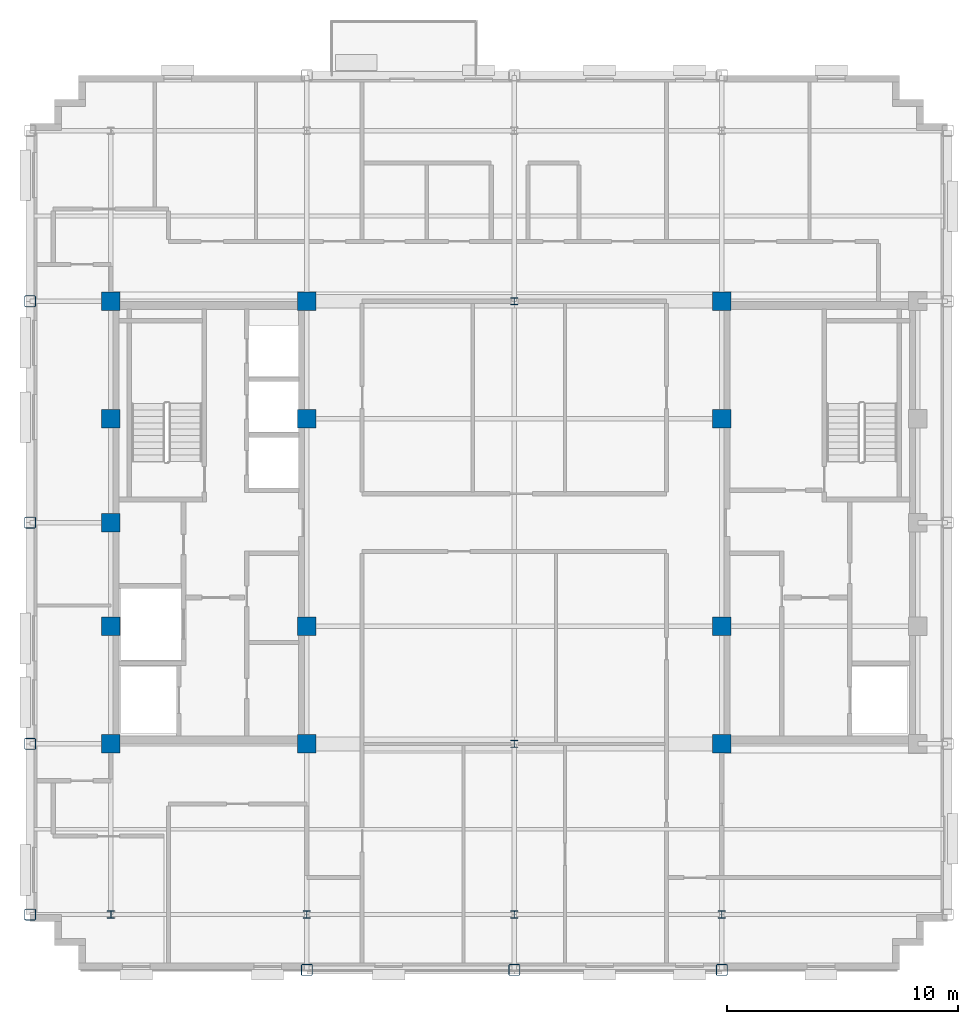
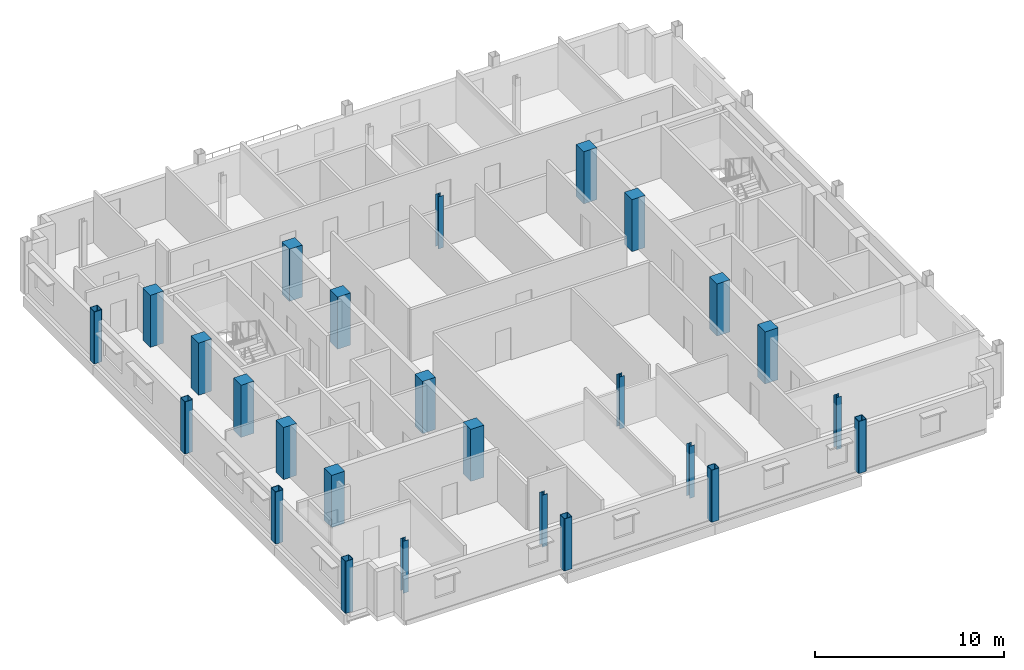
# One storey, part 1 of 14: 26 columns.
"""IFC4 building model written with IfcOpenShell, lengths in metres."""

from ifc_helpers import new_model, si_unit, direction, frame, origin, origin_2d, place, context, subcontext, project, spatial, rectangle, hollow_rectangle, i_section, extrude, material, material_profile, profile_set, type_object, element, save


model = new_model("IFC4")

# Units and contexts
model_context = context("Model", 3, precision=1e-05, world=origin(), true_north=direction((0.0, 1.0)))
body_context = subcontext(model_context, "Body", "Model", "MODEL_VIEW")
ifc_project = project(units=[si_unit("LENGTHUNIT", "METRE"), si_unit("AREAUNIT", "SQUARE_METRE"), si_unit("VOLUMEUNIT", "CUBIC_METRE"), si_unit("PLANEANGLEUNIT", "RADIAN"), si_unit("MASSUNIT", "GRAM", prefix="KILO")], contexts=[model_context])

# Site, building, storey
site_placement = place(None, origin())
site = spatial("IfcSite", under=ifc_project, at=site_placement, CompositionType="ELEMENT")
building_placement = place(site_placement, origin())
building = spatial("IfcBuilding", under=site, at=building_placement, Name="Nuvemarco Arch Tower", CompositionType="ELEMENT")
storey_placement = place(building_placement, frame((0.0, 0.0, 268.89990234375)))
storey = spatial("IfcBuildingStorey", under=building, at=storey_placement, Name="L71", CompositionType="ELEMENT", Elevation=268.89990234375)

# Columns
ifc_material_1 = material(Name="Concrete C50/60", Category="concrete")
ifc_material_profile_1 = material_profile(ifc_material_1, rectangle(XDim=0.800048828125, YDim=0.800048828125, at=origin_2d()), Name="RC-COL-800x800")
ifc_profile_set_1 = profile_set([ifc_material_profile_1], Name="Concrete C50/60")
column_type_1 = type_object("IfcColumnType", Name="COL-CORE-800", PredefinedType="COLUMN", material=ifc_profile_set_1)
for number, where, z_axis, x_axis, name in (
    (1, (-17.5, -9.60009765625, 0.0), (0.0, 0.0, 1.0), (1.0, 0.0, 0.0), "L71 column CC_-17.5_-9.6"),
    (2, (-17.5, -4.5, 0.0), (0.0, 0.0, 1.0), (1.0, 0.0, 0.0), "L71 column CC_-17.5_-4.5"),
    (3, (-17.5, 4.5, 0.0), (0.0, 0.0, 1.0), (1.0, 0.0, 0.0), "L71 column CC_-17.5_+4.5"),
    (4, (-17.5, 9.60009765625, 0.0), (0.0, 0.0, 1.0), (1.0, 0.0, 0.0), "L71 column CC_-17.5_+9.6"),
    (5, (-9.0, -9.60009765625, 0.0), (0.0, 0.0, 1.0), (1.0, 0.0, 0.0), "L71 column CC_-9.0_-9.6"),
    (6, (-9.0, -4.5, 0.0), (0.0, 0.0, 1.0), (1.0, 0.0, 0.0), "L71 column CC_-9.0_-4.5"),
    (7, (-9.0, 4.5, 0.0), (0.0, 0.0, 1.0), (1.0, 0.0, 0.0), "L71 column CC_-9.0_+4.5"),
    (8, (-9.0, 9.60009765625, 0.0), (0.0, 0.0, 1.0), (1.0, 0.0, 0.0), "L71 column CC_-9.0_+9.6"),
    (9, (9.0, -9.60009765625, 0.0), (0.0, 0.0, 1.0), (1.0, 0.0, 0.0), "L71 column CC_+9.0_-9.6"),
    (10, (9.0, -4.5, 0.0), (0.0, 0.0, 1.0), (1.0, 0.0, 0.0), "L71 column CC_+9.0_-4.5"),
    (11, (9.0, 4.5, 0.0), (0.0, 0.0, 1.0), (1.0, 0.0, 0.0), "L71 column CC_+9.0_+4.5"),
    (12, (9.0, 9.60009765625, 0.0), (0.0, 0.0, 1.0), (1.0, 0.0, 0.0), "L71 column CC_+9.0_+9.6"),
    (13, (-17.5, 0.0, 0.0), (0.0, 0.0, 1.0), (1.0, 0.0, 0.0), "L71 column CC_-17.5_+0.0"),
):
    element("IfcColumn", number, at=place(storey_placement, frame(where, z_axis=z_axis, x_axis=x_axis)), inside=storey, type_object=column_type_1, Name=name, PredefinedType="COLUMN", context=body_context, shape_type="SweptSolid", body=[
        extrude(rectangle(XDim=0.800048828125, YDim=0.800048828125, at=origin_2d()), origin(), (0.0, 0.0, 1.0), 3.3701171875),
    ])
ifc_material_2 = material(Name="Steel S355", Category="steel")
ifc_material_profile_2 = material_profile(ifc_material_2, hollow_rectangle(XDim=0.5, YDim=0.5, WallThickness=0.031982421875, InnerFilletRadius=0.031982421875, OuterFilletRadius=0.06396484375, at=origin_2d()), Name="SHS500x500x32")
ifc_profile_set_2 = profile_set([ifc_material_profile_2], Name="Steel S355")
column_type_2 = type_object("IfcColumnType", Name="COL-EXO-500", PredefinedType="COLUMN", material=ifc_profile_set_2)
for number, where, z_axis, x_axis, name in (
    (14, (-21.0, -17.0, 0.0), (0.0, 0.0, 1.0), (1.0, 0.0, 0.0), "L71 column CX_-21.0_-17.0"),
    (15, (-21.0, -9.60009765625, 0.0), (0.0, 0.0, 1.0), (1.0, 0.0, 0.0), "L71 column CX_-21.0_-9.6"),
    (16, (-21.0, 0.0, 0.0), (0.0, 0.0, 1.0), (1.0, 0.0, 0.0), "L71 column CX_-21.0_+0.0"),
    (17, (-21.0, 9.60009765625, 0.0), (0.0, 0.0, 1.0), (1.0, 0.0, 0.0), "L71 column CX_-21.0_+9.6"),
    (18, (-9.0, -19.39990234375, 0.0), (0.0, 0.0, 1.0), (1.0, 0.0, 0.0), "L71 column CY_-9.0_-19.4"),
    (19, (0.0, -19.39990234375, 0.0), (0.0, 0.0, 1.0), (1.0, 0.0, 0.0), "L71 column CY_+0.0_-19.4"),
    (20, (9.0, -19.39990234375, 0.0), (0.0, 0.0, 1.0), (1.0, 0.0, 0.0), "L71 column CY_+9.0_-19.4"),
):
    element("IfcColumn", number, at=place(storey_placement, frame(where, z_axis=z_axis, x_axis=x_axis)), inside=storey, type_object=column_type_2, Name=name, PredefinedType="COLUMN", context=body_context, shape_type="SweptSolid", body=[
        extrude(hollow_rectangle(XDim=0.5, YDim=0.5, WallThickness=0.031982421875, InnerFilletRadius=0.031982421875, OuterFilletRadius=0.06396484375, at=origin_2d()), origin(), (0.0, 0.0, 1.0), 3.3701171875),
    ])
ifc_material_profile_3 = material_profile(ifc_material_2, i_section(OverallWidth=0.31005859375, OverallDepth=0.31005859375, WebThickness=0.015380859375, FlangeThickness=0.015380859375, FilletRadius=0.014892578125, at=origin_2d()), Name="HP310x110")
ifc_profile_set_3 = profile_set([ifc_material_profile_3], Name="Steel S355")
column_type_3 = type_object("IfcColumnType", Name="COL-STL-HP310", PredefinedType="COLUMN", material=ifc_profile_set_3)
for number, where, z_axis, x_axis, name in (
    (21, (0.0, -17.0, 0.0), (0.0, 0.0, 1.0), (1.0, 0.0, 0.0), "L71 column CI_+0.0_-17.0"),
    (22, (0.0, -9.60009765625, 0.0), (0.0, 0.0, 1.0), (1.0, 0.0, 0.0), "L71 column CI_+0.0_-9.6"),
    (23, (0.0, 9.60009765625, 0.0), (0.0, 0.0, 1.0), (1.0, 0.0, 0.0), "L71 column CI_+0.0_+9.6"),
    (24, (-17.5, -17.0, 0.0), (0.0, 0.0, 1.0), (1.0, 0.0, 0.0), "L71 column CI_-17.5_-17.0"),
    (25, (-9.0, -17.0, 0.0), (0.0, 0.0, 1.0), (1.0, 0.0, 0.0), "L71 column CI_-9.0_-17.0"),
    (26, (9.0, -17.0, 0.0), (0.0, 0.0, 1.0), (1.0, 0.0, 0.0), "L71 column CI_+9.0_-17.0"),
):
    element("IfcColumn", number, at=place(storey_placement, frame(where, z_axis=z_axis, x_axis=x_axis)), inside=storey, type_object=column_type_3, Name=name, PredefinedType="COLUMN", context=body_context, shape_type="SweptSolid", body=[
        extrude(i_section(OverallWidth=0.31005859375, OverallDepth=0.31005859375, WebThickness=0.015380859375, FlangeThickness=0.015380859375, FilletRadius=0.014892578125, at=origin_2d()), origin(), (0.0, 0.0, 1.0), 3.3701171875),
    ])

save(model, "model.ifc")
